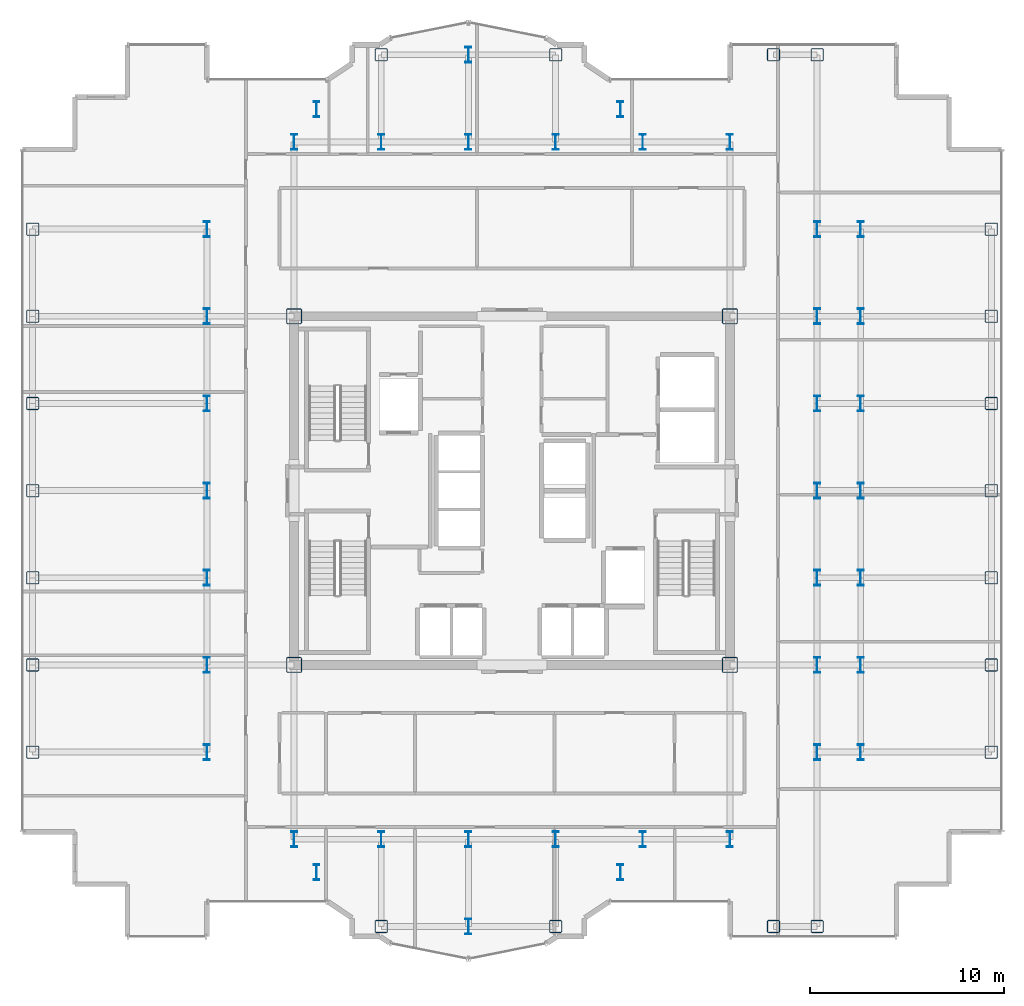
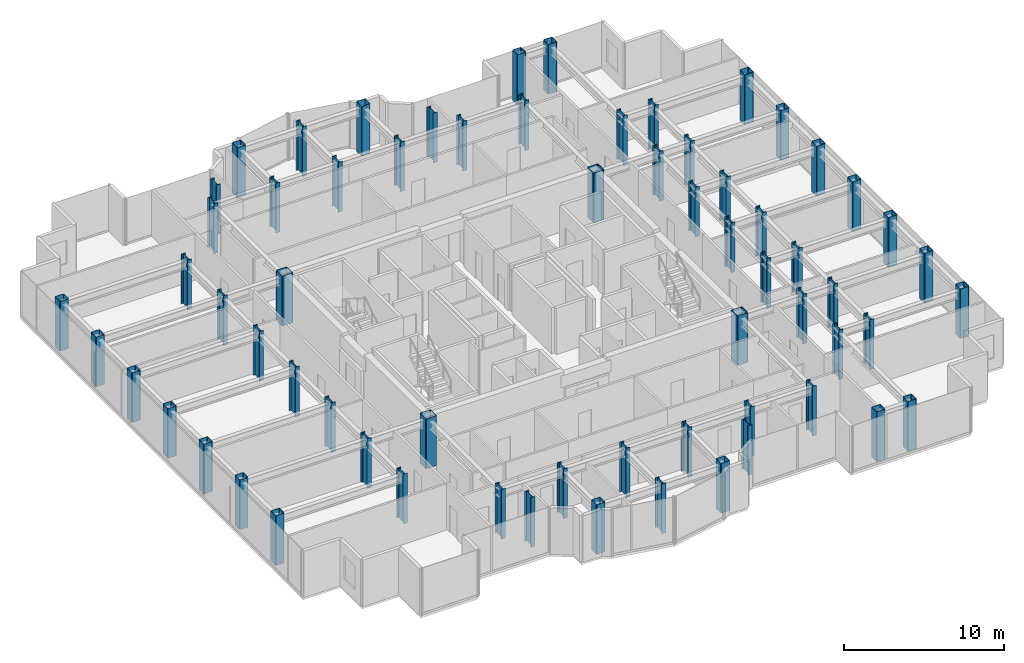
# One storey, part 1 of 20: 65 columns.
"""IFC4 building model written with IfcOpenShell, lengths in metres."""

from ifc_helpers import new_model, si_unit, direction, frame, origin, origin_2d, place, context, subcontext, project, spatial, hollow_rectangle, i_section, extrude, source, transform, mapped, material, material_profile, profile_set, type_object, element, save


model = new_model("IFC4")

# Units and contexts
model_context = context("Model", 3, precision=1e-05, world=origin(), true_north=direction((0.0, 1.0)))
body_context = subcontext(model_context, "Body", "Model", "MODEL_VIEW")
ifc_project = project(units=[si_unit("LENGTHUNIT", "METRE"), si_unit("AREAUNIT", "SQUARE_METRE"), si_unit("VOLUMEUNIT", "CUBIC_METRE"), si_unit("PLANEANGLEUNIT", "RADIAN"), si_unit("MASSUNIT", "GRAM", prefix="KILO")], contexts=[model_context])

# Site, building, storey
site_placement = place(None, origin())
site = spatial("IfcSite", under=ifc_project, at=site_placement, CompositionType="ELEMENT")
building_placement = place(site_placement, origin())
building = spatial("IfcBuilding", under=site, at=building_placement, Name="Nefas-Gora Pilgrimage Tower", CompositionType="ELEMENT")
storey_placement = place(building_placement, frame((0.0, 0.0, 237.0)))
storey = spatial("IfcBuildingStorey", under=building, at=storey_placement, Name="L59", CompositionType="ELEMENT", Elevation=237.0)

# Columns
ifc_material = material(Name="Steel S460", Category="steel")
ifc_material_profile_1 = material_profile(ifc_material, i_section(OverallWidth=0.302978515625, OverallDepth=0.81396484375, WebThickness=0.02099609375, FlangeThickness=0.0400390625, FilletRadius=0.030029296875, at=origin_2d()), Name="HEM 800")
ifc_profile_set_1 = profile_set([ifc_material_profile_1], Name="Steel S460")
column_type_1 = type_object("IfcColumnType", Name="COL-WEB-HEM800", PredefinedType="COLUMN", material=ifc_profile_set_1)
shared_shape_1 = source(origin(), body_context, "Body", "SweptSolid", [
    extrude(i_section(OverallWidth=0.302978515625, OverallDepth=0.81396484375, WebThickness=0.02099609375, FlangeThickness=0.0400390625, FilletRadius=0.030029296875, at=origin_2d()), origin(), (0.0, 0.0, 1.0), 3.800048828125),
])
for number, where, z_axis, x_axis, name in (
    (1, (-15.75, -13.5, 0.0), (0.0, 0.0, 1.0), (1.0, 0.0, 0.0), "L59 Tower Column CW-02.8"),
    (2, (-15.75, -9.0, 0.0), (0.0, 0.0, 1.0), (1.0, 0.0, 0.0), "L59 Tower Column CW-02.9"),
    (3, (-15.75, -4.5, 0.0), (0.0, 0.0, 1.0), (1.0, 0.0, 0.0), "L59 Tower Column CW-02.10"),
    (4, (-15.75, 0.0, 0.0), (0.0, 0.0, 1.0), (1.0, 0.0, 0.0), "L59 Tower Column CW-02.11"),
    (5, (-15.75, 4.5, 0.0), (0.0, 0.0, 1.0), (1.0, 0.0, 0.0), "L59 Tower Column CW-02.12"),
    (6, (-15.75, 9.0, 0.0), (0.0, 0.0, 1.0), (1.0, 0.0, 0.0), "L59 Tower Column CW-02.13"),
    (7, (-15.75, 13.5, 0.0), (0.0, 0.0, 1.0), (1.0, 0.0, 0.0), "L59 Tower Column CW-02.14"),
    (8, (-11.25, -18.0, 0.0), (0.0, 0.0, 1.0), (1.0, 0.0, 0.0), "L59 Tower Column CW-02.15"),
    (9, (-11.25, 18.0, 0.0), (0.0, 0.0, 1.0), (1.0, 0.0, 0.0), "L59 Tower Column CW-02.18"),
    (10, (-10.091064453125, -19.696044921875, 0.0), (0.0, 0.0, 1.0), (1.0, 0.0, 0.0), "L59 Tower Column CW-02.19"),
    (11, (-10.091064453125, 19.696044921875, 0.0), (0.0, 0.0, 1.0), (1.0, 0.0, 0.0), "L59 Tower Column CW-02.20"),
    (12, (-6.75, -18.0, 0.0), (0.0, 0.0, 1.0), (1.0, 0.0, 0.0), "L59 Tower Column CW-02.22"),
    (13, (-6.75, 18.0, 0.0), (0.0, 0.0, 1.0), (1.0, 0.0, 0.0), "L59 Tower Column CW-02.23"),
    (14, (-2.25, -22.5, 0.0), (0.0, 0.0, 1.0), (1.0, 0.0, 0.0), "L59 Tower Column CW-02.25"),
    (15, (-2.25, -18.0, 0.0), (0.0, 0.0, 1.0), (1.0, 0.0, 0.0), "L59 Tower Column CW-02.26"),
    (16, (-2.25, 18.0, 0.0), (0.0, 0.0, 1.0), (1.0, 0.0, 0.0), "L59 Tower Column CW-02.27"),
    (17, (-2.25, 22.5, 0.0), (0.0, 0.0, 1.0), (1.0, 0.0, 0.0), "L59 Tower Column CW-02.28"),
    (18, (2.25, -18.0, 0.0), (0.0, 0.0, 1.0), (1.0, 0.0, 0.0), "L59 Tower Column CW-02.30"),
    (19, (2.25, 18.0, 0.0), (0.0, 0.0, 1.0), (1.0, 0.0, 0.0), "L59 Tower Column CW-02.31"),
    (20, (5.591064453125, -19.696044921875, 0.0), (0.0, 0.0, 1.0), (1.0, 0.0, 0.0), "L59 Tower Column CW-02.33"),
    (21, (5.591064453125, 19.696044921875, 0.0), (0.0, 0.0, 1.0), (1.0, 0.0, 0.0), "L59 Tower Column CW-02.34"),
    (22, (6.75, -18.0, 0.0), (0.0, 0.0, 1.0), (1.0, 0.0, 0.0), "L59 Tower Column CW-02.35"),
    (23, (6.75, 18.0, 0.0), (0.0, 0.0, 1.0), (1.0, 0.0, 0.0), "L59 Tower Column CW-02.36"),
    (24, (11.25, -18.0, 0.0), (0.0, 0.0, 1.0), (1.0, 0.0, 0.0), "L59 Tower Column CW-02.37"),
    (25, (11.25, 18.0, 0.0), (0.0, 0.0, 1.0), (1.0, 0.0, 0.0), "L59 Tower Column CW-02.40"),
    (26, (15.75, -13.5, 0.0), (0.0, 0.0, 1.0), (1.0, 0.0, 0.0), "L59 Tower Column CW-02.44"),
    (27, (15.75, -9.0, 0.0), (0.0, 0.0, 1.0), (1.0, 0.0, 0.0), "L59 Tower Column CW-02.45"),
    (28, (15.75, -4.5, 0.0), (0.0, 0.0, 1.0), (1.0, 0.0, 0.0), "L59 Tower Column CW-02.46"),
    (29, (15.75, 0.0, 0.0), (0.0, 0.0, 1.0), (1.0, 0.0, 0.0), "L59 Tower Column CW-02.47"),
    (30, (15.75, 4.5, 0.0), (0.0, 0.0, 1.0), (1.0, 0.0, 0.0), "L59 Tower Column CW-02.48"),
    (31, (15.75, 9.0, 0.0), (0.0, 0.0, 1.0), (1.0, 0.0, 0.0), "L59 Tower Column CW-02.49"),
    (32, (15.75, 13.5, 0.0), (0.0, 0.0, 1.0), (1.0, 0.0, 0.0), "L59 Tower Column CW-02.50"),
    (33, (18.0, -13.5, 0.0), (0.0, 0.0, 1.0), (1.0, 0.0, 0.0), "L59 Tower Column CW-02.52"),
    (34, (18.0, -9.0, 0.0), (0.0, 0.0, 1.0), (1.0, 0.0, 0.0), "L59 Tower Column CW-02.53"),
    (35, (18.0, -4.5, 0.0), (0.0, 0.0, 1.0), (1.0, 0.0, 0.0), "L59 Tower Column CW-02.54"),
    (36, (18.0, 0.0, 0.0), (0.0, 0.0, 1.0), (1.0, 0.0, 0.0), "L59 Tower Column CW-02.55"),
    (37, (18.0, 4.5, 0.0), (0.0, 0.0, 1.0), (1.0, 0.0, 0.0), "L59 Tower Column CW-02.56"),
    (38, (18.0, 9.0, 0.0), (0.0, 0.0, 1.0), (1.0, 0.0, 0.0), "L59 Tower Column CW-02.57"),
    (39, (18.0, 13.5, 0.0), (0.0, 0.0, 1.0), (1.0, 0.0, 0.0), "L59 Tower Column CW-02.58"),
):
    element("IfcColumn", number, at=place(storey_placement, frame(where, z_axis=z_axis, x_axis=x_axis)), inside=storey, type_object=column_type_1, Name=name, PredefinedType="COLUMN", context=body_context, shape_type="MappedRepresentation", body=[
        mapped(shared_shape_1, transform((0.0, 0.0, 0.0), x_axis=(1.0, 0.0, 0.0), y_axis=(0.0, 1.0, 0.0), z_axis=(0.0, 0.0, 1.0), scale=1.0)),
    ])
ifc_material_profile_2 = material_profile(ifc_material, hollow_rectangle(XDim=0.800048828125, YDim=0.800048828125, WallThickness=0.0400390625, InnerFilletRadius=0.0400390625, OuterFilletRadius=0.080078125, at=origin_2d()), Name="BOX 800x800x40")
ifc_profile_set_2 = profile_set([ifc_material_profile_2], Name="Steel S460")
column_type_2 = type_object("IfcColumnType", Name="COL-CORE-800", PredefinedType="COLUMN", material=ifc_profile_set_2)
shared_shape_2 = source(origin(), body_context, "Body", "SweptSolid", [
    extrude(hollow_rectangle(XDim=0.800048828125, YDim=0.800048828125, WallThickness=0.0400390625, InnerFilletRadius=0.0400390625, OuterFilletRadius=0.080078125, at=origin_2d()), origin(), (0.0, 0.0, 1.0), 3.800048828125),
])
for number, where, z_axis, x_axis, name in (
    (40, (-11.25, -9.0, 0.0), (0.0, 0.0, 1.0), (1.0, 0.0, 0.0), "L59 Tower Column CC-Z2.16"),
    (41, (-11.25, 9.0, 0.0), (0.0, 0.0, 1.0), (1.0, 0.0, 0.0), "L59 Tower Column CC-Z2.17"),
    (42, (11.25, -9.0, 0.0), (0.0, 0.0, 1.0), (1.0, 0.0, 0.0), "L59 Tower Column CC-Z2.38"),
    (43, (11.25, 9.0, 0.0), (0.0, 0.0, 1.0), (1.0, 0.0, 0.0), "L59 Tower Column CC-Z2.39"),
):
    element("IfcColumn", number, at=place(storey_placement, frame(where, z_axis=z_axis, x_axis=x_axis)), inside=storey, type_object=column_type_2, Name=name, PredefinedType="COLUMN", context=body_context, shape_type="MappedRepresentation", body=[
        mapped(shared_shape_2, transform((0.0, 0.0, 0.0), x_axis=(1.0, 0.0, 0.0), y_axis=(0.0, 1.0, 0.0), z_axis=(0.0, 0.0, 1.0), scale=1.0)),
    ])
ifc_material_profile_3 = material_profile(ifc_material, hollow_rectangle(XDim=0.64990234375, YDim=0.64990234375, WallThickness=0.031982421875, InnerFilletRadius=0.031982421875, OuterFilletRadius=0.06396484375, at=origin_2d()), Name="BOX 650x650x32")
ifc_profile_set_3 = profile_set([ifc_material_profile_3], Name="Steel S460")
column_type_3 = type_object("IfcColumnType", Name="COL-TUBE-650", PredefinedType="COLUMN", material=ifc_profile_set_3)
shared_shape_3 = source(origin(), body_context, "Body", "SweptSolid", [
    extrude(hollow_rectangle(XDim=0.64990234375, YDim=0.64990234375, WallThickness=0.031982421875, InnerFilletRadius=0.031982421875, OuterFilletRadius=0.06396484375, at=origin_2d()), origin(), (0.0, 0.0, 1.0), 3.800048828125),
])
for number, where, z_axis, x_axis, name in (
    (44, (-24.75, -13.5, 0.0), (0.0, 0.0, 1.0), (1.0, 0.0, 0.0), "L59 Tower Column C-Z3.1"),
    (45, (-24.75, -9.0, 0.0), (0.0, 0.0, 1.0), (1.0, 0.0, 0.0), "L59 Tower Column C-Z3.2"),
    (46, (-24.75, -4.5, 0.0), (0.0, 0.0, 1.0), (1.0, 0.0, 0.0), "L59 Tower Column C-Z3.3"),
    (47, (-24.75, 0.0, 0.0), (0.0, 0.0, 1.0), (1.0, 0.0, 0.0), "L59 Tower Column C-Z3.4"),
    (48, (-24.75, 4.5, 0.0), (0.0, 0.0, 1.0), (1.0, 0.0, 0.0), "L59 Tower Column C-Z3.5"),
    (49, (-24.75, 9.0, 0.0), (0.0, 0.0, 1.0), (1.0, 0.0, 0.0), "L59 Tower Column C-Z3.6"),
    (50, (-24.75, 13.5, 0.0), (0.0, 0.0, 1.0), (1.0, 0.0, 0.0), "L59 Tower Column C-Z3.7"),
    (51, (-6.75, -22.5, 0.0), (0.0, 0.0, 1.0), (1.0, 0.0, 0.0), "L59 Tower Column C-Z3.21"),
    (52, (-6.75, 22.5, 0.0), (0.0, 0.0, 1.0), (1.0, 0.0, 0.0), "L59 Tower Column C-Z3.24"),
    (53, (2.25, -22.5, 0.0), (0.0, 0.0, 1.0), (1.0, 0.0, 0.0), "L59 Tower Column C-Z3.29"),
    (54, (2.25, 22.5, 0.0), (0.0, 0.0, 1.0), (1.0, 0.0, 0.0), "L59 Tower Column C-Z3.32"),
    (55, (13.5, -22.5, 0.0), (0.0, 0.0, 1.0), (1.0, 0.0, 0.0), "L59 Tower Column C-Z3.41"),
    (56, (13.5, 22.5, 0.0), (0.0, 0.0, 1.0), (1.0, 0.0, 0.0), "L59 Tower Column C-Z3.42"),
    (57, (15.75, -22.5, 0.0), (0.0, 0.0, 1.0), (1.0, 0.0, 0.0), "L59 Tower Column C-Z3.43"),
    (58, (15.75, 22.5, 0.0), (0.0, 0.0, 1.0), (1.0, 0.0, 0.0), "L59 Tower Column C-Z3.51"),
    (59, (24.75, -13.5, 0.0), (0.0, 0.0, 1.0), (1.0, 0.0, 0.0), "L59 Tower Column C-Z3.59"),
    (60, (24.75, -9.0, 0.0), (0.0, 0.0, 1.0), (1.0, 0.0, 0.0), "L59 Tower Column C-Z3.60"),
    (61, (24.75, -4.5, 0.0), (0.0, 0.0, 1.0), (1.0, 0.0, 0.0), "L59 Tower Column C-Z3.61"),
    (62, (24.75, 0.0, 0.0), (0.0, 0.0, 1.0), (1.0, 0.0, 0.0), "L59 Tower Column C-Z3.62"),
    (63, (24.75, 4.5, 0.0), (0.0, 0.0, 1.0), (1.0, 0.0, 0.0), "L59 Tower Column C-Z3.63"),
    (64, (24.75, 9.0, 0.0), (0.0, 0.0, 1.0), (1.0, 0.0, 0.0), "L59 Tower Column C-Z3.64"),
    (65, (24.75, 13.5, 0.0), (0.0, 0.0, 1.0), (1.0, 0.0, 0.0), "L59 Tower Column C-Z3.65"),
):
    element("IfcColumn", number, at=place(storey_placement, frame(where, z_axis=z_axis, x_axis=x_axis)), inside=storey, type_object=column_type_3, Name=name, PredefinedType="COLUMN", context=body_context, shape_type="MappedRepresentation", body=[
        mapped(shared_shape_3, transform((0.0, 0.0, 0.0), x_axis=(1.0, 0.0, 0.0), y_axis=(0.0, 1.0, 0.0), z_axis=(0.0, 0.0, 1.0), scale=1.0)),
    ])

save(model, "model.ifc")
